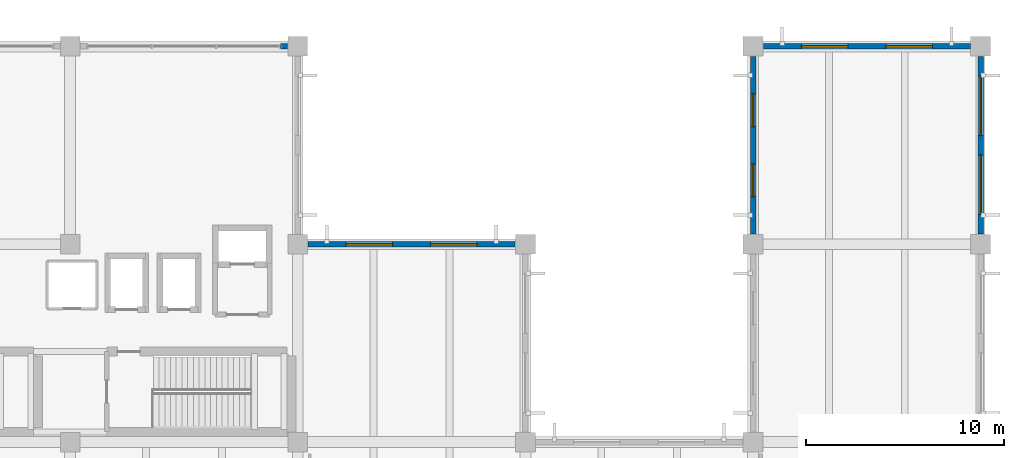
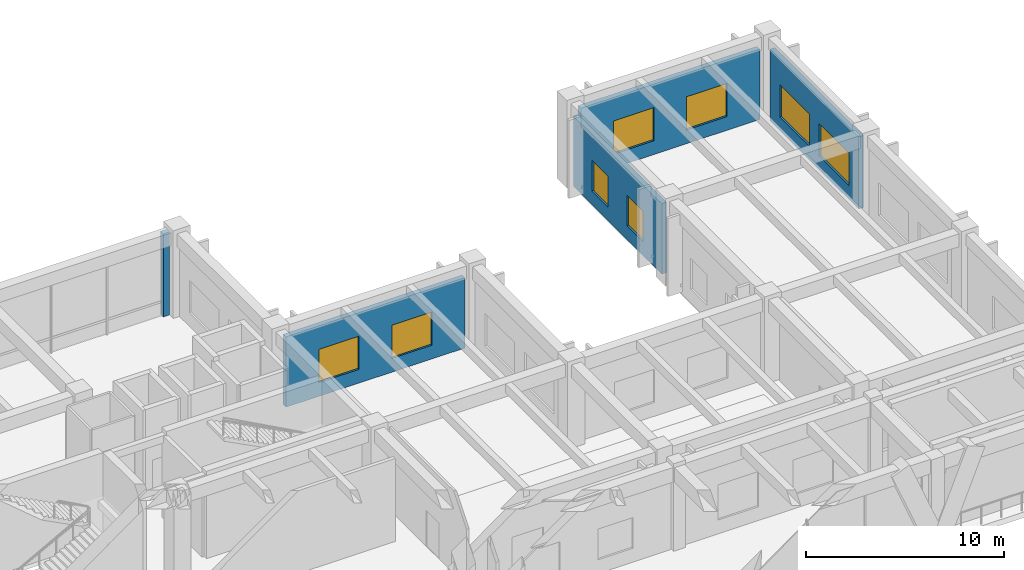
# One storey, part 134 of 148: 8 windows, 5 walls, 8 openings.
"""IFC4 building model written with IfcOpenShell, lengths in metres."""

from ifc_helpers import new_model, si_unit, direction, frame, frame_2d, origin, place, context, subcontext, project, spatial, rectangle, extrude, material, layer, layer_set, type_object, element, fill, save


model = new_model("IFC4")

# Units and contexts
model_context = context("Model", 3, precision=1e-05, world=origin(), true_north=direction((0.0, 1.0)))
body_context = subcontext(model_context, "Body", "Model", "MODEL_VIEW")
ifc_project = project(units=[si_unit("LENGTHUNIT", "METRE"), si_unit("AREAUNIT", "SQUARE_METRE"), si_unit("VOLUMEUNIT", "CUBIC_METRE"), si_unit("PLANEANGLEUNIT", "RADIAN"), si_unit("MASSUNIT", "GRAM", prefix="KILO")], contexts=[model_context])

# Site, building, storey
site_placement = place(None, origin())
site = spatial("IfcSite", under=ifc_project, at=site_placement, CompositionType="ELEMENT")
building_placement = place(site_placement, origin())
building = spatial("IfcBuilding", under=site, at=building_placement, Name="Ologun Quay Terminus", CompositionType="ELEMENT")
storey_placement = place(building_placement, frame((0.0, 0.0, 8.39990234375)))
storey = spatial("IfcBuildingStorey", under=building, at=storey_placement, Name="L02", CompositionType="ELEMENT", Elevation=8.39990234375)

# Wall, openings, windows
ifc_material_1 = material(Name="Concrete C40/50", Category="concrete")
ifc_layer = layer(ifc_material_1, 0.280029296875)
ifc_layer_set = layer_set([ifc_layer], Name="Concrete C40/50")
wall_type = type_object("IfcWallType", Name="Courtyard Wing Spandrel Concrete Wall 280", PredefinedType="SOLIDWALL", material=ifc_layer_set)
wall_1_placement = place(storey_placement, frame((184.0, 105.320068359375, 0.0), z_axis=(0.0, 0.0, 1.0), x_axis=(0.0, 1.0, 0.0)))
wall_1 = element("IfcWall", 1, at=wall_1_placement, inside=storey, type_object=wall_type, Name="EW-02 Facade Wall WEW-EW-L02-9", PredefinedType="SOLIDWALL", context=body_context, shape_type="SweptSolid", body=[
    extrude(rectangle(XDim=8.9599609375, YDim=0.280029296875, at=frame_2d((4.47998046875, 0.0))), origin(), (0.0, 0.0, 1.0), 4.4501953125),
])
opening_1_placement = place(wall_1_placement, frame((0.98681640625, 0.0, 0.85009765625)))
opening_1 = element("IfcOpeningElement", 2, at=opening_1_placement, cuts=wall_1, Name="Opening WN-397", PredefinedType="OPENING", context=body_context, shape_type="SweptSolid", body=[
    extrude(rectangle(XDim=3.0, YDim=2.0, at=frame_2d((1.5, 1.0))), frame((0.0, 0.14990234375, 0.0), z_axis=(0.0, -1.0, 0.0), x_axis=(1.0, 0.0, 0.0)), (0.0, 0.0, 1.0), 0.300048828125),
])
opening_2_placement = place(wall_1_placement, frame((4.973388671875, 0.0, 0.85009765625)))
opening_2 = element("IfcOpeningElement", 3, at=opening_2_placement, cuts=wall_1, Name="Opening WN-398", PredefinedType="OPENING", context=body_context, shape_type="SweptSolid", body=[
    extrude(rectangle(XDim=3.0, YDim=2.0, at=frame_2d((1.5, 1.0))), frame((0.0, 0.14990234375, 0.0), z_axis=(0.0, -1.0, 0.0), x_axis=(1.0, 0.0, 0.0)), (0.0, 0.0, 1.0), 0.300048828125),
])
ifc_material_2 = material(Name="Glass", Category="glass")
window_type_1 = type_object("IfcWindowType", Name="Station Control Observation Window 3000x2000", PartitioningType="SINGLE_PANEL", PredefinedType="WINDOW", material=ifc_material_2)
window_1_placement = place(opening_1_placement, origin())
window_1 = element("IfcWindow", 4, at=window_1_placement, inside=storey, type_object=window_type_1, Name="W-09 Window WN-397", OverallHeight=2.0, OverallWidth=3.0, PartitioningType="SINGLE_PANEL", PredefinedType="WINDOW", context=body_context, shape_type="SweptSolid", body=[
    extrude(rectangle(XDim=3.0, YDim=2.0, at=frame_2d((1.5, 1.0))), frame((0.0, 0.030029296875, 0.0), z_axis=(0.0, -1.0, 0.0), x_axis=(1.0, 0.0, 0.0)), (0.0, 0.0, 1.0), 0.06005859375),
])
fill(opening_1, window_1)
window_2_placement = place(opening_2_placement, origin())
window_2 = element("IfcWindow", 5, at=window_2_placement, inside=storey, type_object=window_type_1, Name="W-09 Window WN-398", OverallHeight=2.0, OverallWidth=3.0, PartitioningType="SINGLE_PANEL", PredefinedType="WINDOW", context=body_context, shape_type="SweptSolid", body=[
    extrude(rectangle(XDim=3.0, YDim=2.0, at=frame_2d((1.5, 1.0))), frame((0.0, 0.030029296875, 0.0), z_axis=(0.0, -1.0, 0.0), x_axis=(1.0, 0.0, 0.0)), (0.0, 0.0, 1.0), 0.06005859375),
])
fill(opening_2, window_2)

wall_2_placement = place(storey_placement, frame((173.02001953125, 114.800048828125, 0.0), z_axis=(0.0, 0.0, 1.0), x_axis=(1.0, 0.0, 0.0)))
wall_2 = element("IfcWall", 6, at=wall_2_placement, inside=storey, type_object=wall_type, Name="EW-02 Facade Wall WEW-EW-L02-10", PredefinedType="SOLIDWALL", context=body_context, shape_type="SweptSolid", body=[
    extrude(rectangle(XDim=10.4599609375, YDim=0.280029296875, at=frame_2d((5.22998046875, 0.0))), origin(), (0.0, 0.0, 1.0), 4.35009765625),
])
opening_3_placement = place(wall_2_placement, frame((1.919921875, 0.0, 0.85009765625)))
opening_3 = element("IfcOpeningElement", 7, at=opening_3_placement, cuts=wall_2, Name="Opening WN-399", PredefinedType="OPENING", context=body_context, shape_type="SweptSolid", body=[
    extrude(rectangle(XDim=2.35009765625, YDim=2.050048828125, at=frame_2d((1.175048828125, 1.02490234375))), frame((0.0, 0.14990234375, 0.0), z_axis=(0.0, -1.0, 0.0), x_axis=(1.0, 0.0, 0.0)), (0.0, 0.0, 1.0), 0.300048828125),
])
opening_4_placement = place(wall_2_placement, frame((6.18994140625, 0.0, 0.85009765625)))
opening_4 = element("IfcOpeningElement", 8, at=opening_4_placement, cuts=wall_2, Name="Opening WN-400", PredefinedType="OPENING", context=body_context, shape_type="SweptSolid", body=[
    extrude(rectangle(XDim=2.35009765625, YDim=2.050048828125, at=frame_2d((1.175048828125, 1.02490234375))), frame((0.0, 0.14990234375, 0.0), z_axis=(0.0, -1.0, 0.0), x_axis=(1.0, 0.0, 0.0)), (0.0, 0.0, 1.0), 0.300048828125),
])
ifc_material_3 = material(Name="Glass", Category="glass")
window_type_2 = type_object("IfcWindowType", Name="Traffic Control Acoustic Window 2350x2050", PartitioningType="SINGLE_PANEL", PredefinedType="WINDOW", material=ifc_material_3)
window_3_placement = place(opening_3_placement, origin())
window_3 = element("IfcWindow", 9, at=window_3_placement, inside=storey, type_object=window_type_2, Name="W-19 Window WN-399", OverallHeight=2.050048828125, OverallWidth=2.35009765625, PartitioningType="SINGLE_PANEL", PredefinedType="WINDOW", context=body_context, shape_type="SweptSolid", body=[
    extrude(rectangle(XDim=2.35009765625, YDim=2.050048828125, at=frame_2d((1.175048828125, 1.02490234375))), frame((0.0, 0.030029296875, 0.0), z_axis=(0.0, -1.0, 0.0), x_axis=(1.0, 0.0, 0.0)), (0.0, 0.0, 1.0), 0.06005859375),
])
fill(opening_3, window_3)
window_4_placement = place(opening_4_placement, origin())
window_4 = element("IfcWindow", 10, at=window_4_placement, inside=storey, type_object=window_type_2, Name="W-19 Window WN-400", OverallHeight=2.050048828125, OverallWidth=2.35009765625, PartitioningType="SINGLE_PANEL", PredefinedType="WINDOW", context=body_context, shape_type="SweptSolid", body=[
    extrude(rectangle(XDim=2.35009765625, YDim=2.050048828125, at=frame_2d((1.175048828125, 1.02490234375))), frame((0.0, 0.030029296875, 0.0), z_axis=(0.0, -1.0, 0.0), x_axis=(1.0, 0.0, 0.0)), (0.0, 0.0, 1.0), 0.06005859375),
])
fill(opening_4, window_4)

wall_3_placement = place(storey_placement, frame((172.5, 105.320068359375, 0.0), z_axis=(0.0, 0.0, 1.0), x_axis=(0.0, 1.0, 0.0)))
wall_3 = element("IfcWall", 11, at=wall_3_placement, inside=storey, type_object=wall_type, Name="EW-02 Facade Wall WEW-EW-L02-12", PredefinedType="SOLIDWALL", context=body_context, shape_type="SweptSolid", body=[
    extrude(rectangle(XDim=8.9599609375, YDim=0.280029296875, at=frame_2d((4.47998046875, 0.0))), origin(), (0.0, 0.0, 1.0), 4.35009765625),
])
opening_5_placement = place(wall_3_placement, frame((1.88671875, 0.0, 0.85009765625)))
opening_5 = element("IfcOpeningElement", 12, at=opening_5_placement, cuts=wall_3, Name="Opening WN-403", PredefinedType="OPENING", context=body_context, shape_type="SweptSolid", body=[
    extrude(rectangle(XDim=1.64990234375, YDim=1.89990234375, at=frame_2d((0.824951171875, 0.949951171875))), frame((0.0, 0.14990234375, 0.0), z_axis=(0.0, -1.0, 0.0), x_axis=(1.0, 0.0, 0.0)), (0.0, 0.0, 1.0), 0.300048828125),
])
opening_6_placement = place(wall_3_placement, frame((5.42333984375, 0.0, 0.85009765625)))
opening_6 = element("IfcOpeningElement", 13, at=opening_6_placement, cuts=wall_3, Name="Opening WN-404", PredefinedType="OPENING", context=body_context, shape_type="SweptSolid", body=[
    extrude(rectangle(XDim=1.64990234375, YDim=1.89990234375, at=frame_2d((0.824951171875, 0.949951171875))), frame((0.0, 0.14990234375, 0.0), z_axis=(0.0, -1.0, 0.0), x_axis=(1.0, 0.0, 0.0)), (0.0, 0.0, 1.0), 0.300048828125),
])
ifc_material_4 = material(Name="Glass", Category="glass")
window_type_3 = type_object("IfcWindowType", Name="Operations Admin Solar Window 1650x1900", PartitioningType="SINGLE_PANEL", PredefinedType="WINDOW", material=ifc_material_4)
window_5_placement = place(opening_5_placement, origin())
window_5 = element("IfcWindow", 14, at=window_5_placement, inside=storey, type_object=window_type_3, Name="W-21 Window WN-403", OverallHeight=1.89990234375, OverallWidth=1.64990234375, PartitioningType="SINGLE_PANEL", PredefinedType="WINDOW", context=body_context, shape_type="SweptSolid", body=[
    extrude(rectangle(XDim=1.64990234375, YDim=1.89990234375, at=frame_2d((0.824951171875, 0.949951171875))), frame((0.0, 0.030029296875, 0.0), z_axis=(0.0, -1.0, 0.0), x_axis=(1.0, 0.0, 0.0)), (0.0, 0.0, 1.0), 0.06005859375),
])
fill(opening_5, window_5)
window_6_placement = place(opening_6_placement, origin())
window_6 = element("IfcWindow", 15, at=window_6_placement, inside=storey, type_object=window_type_3, Name="W-21 Window WN-404", OverallHeight=1.89990234375, OverallWidth=1.64990234375, PartitioningType="SINGLE_PANEL", PredefinedType="WINDOW", context=body_context, shape_type="SweptSolid", body=[
    extrude(rectangle(XDim=1.64990234375, YDim=1.89990234375, at=frame_2d((0.824951171875, 0.949951171875))), frame((0.0, 0.030029296875, 0.0), z_axis=(0.0, -1.0, 0.0), x_axis=(1.0, 0.0, 0.0)), (0.0, 0.0, 1.0), 0.06005859375),
])
fill(opening_6, window_6)

wall_4_placement = place(storey_placement, frame((150.02001953125, 104.800048828125, 0.0), z_axis=(0.0, 0.0, 1.0), x_axis=(1.0, 0.0, 0.0)))
wall_4 = element("IfcWall", 16, at=wall_4_placement, inside=storey, type_object=wall_type, Name="EW-02 Facade Wall WEW-EW-L02-15", PredefinedType="SOLIDWALL", context=body_context, shape_type="SweptSolid", body=[
    extrude(rectangle(XDim=10.4599609375, YDim=0.280029296875, at=frame_2d((5.22998046875, 0.0))), origin(), (0.0, 0.0, 1.0), 4.35009765625),
])
opening_7_placement = place(wall_4_placement, frame((1.919921875, 0.0, 0.85009765625)))
opening_7 = element("IfcOpeningElement", 17, at=opening_7_placement, cuts=wall_4, Name="Opening WN-409", PredefinedType="OPENING", context=body_context, shape_type="SweptSolid", body=[
    extrude(rectangle(XDim=2.35009765625, YDim=2.050048828125, at=frame_2d((1.175048828125, 1.02490234375))), frame((0.0, 0.14990234375, 0.0), z_axis=(0.0, -1.0, 0.0), x_axis=(1.0, 0.0, 0.0)), (0.0, 0.0, 1.0), 0.300048828125),
])
opening_8_placement = place(wall_4_placement, frame((6.18994140625, 0.0, 0.85009765625)))
opening_8 = element("IfcOpeningElement", 18, at=opening_8_placement, cuts=wall_4, Name="Opening WN-410", PredefinedType="OPENING", context=body_context, shape_type="SweptSolid", body=[
    extrude(rectangle(XDim=2.35009765625, YDim=2.050048828125, at=frame_2d((1.175048828125, 1.02490234375))), frame((0.0, 0.14990234375, 0.0), z_axis=(0.0, -1.0, 0.0), x_axis=(1.0, 0.0, 0.0)), (0.0, 0.0, 1.0), 0.300048828125),
])
window_7_placement = place(opening_7_placement, origin())
window_7 = element("IfcWindow", 19, at=window_7_placement, inside=storey, type_object=window_type_2, Name="W-19 Window WN-409", OverallHeight=2.050048828125, OverallWidth=2.35009765625, PartitioningType="SINGLE_PANEL", PredefinedType="WINDOW", context=body_context, shape_type="SweptSolid", body=[
    extrude(rectangle(XDim=2.35009765625, YDim=2.050048828125, at=frame_2d((1.175048828125, 1.02490234375))), frame((0.0, 0.030029296875, 0.0), z_axis=(0.0, -1.0, 0.0), x_axis=(1.0, 0.0, 0.0)), (0.0, 0.0, 1.0), 0.06005859375),
])
fill(opening_7, window_7)
window_8_placement = place(opening_8_placement, origin())
window_8 = element("IfcWindow", 20, at=window_8_placement, inside=storey, type_object=window_type_2, Name="W-19 Window WN-410", OverallHeight=2.050048828125, OverallWidth=2.35009765625, PartitioningType="SINGLE_PANEL", PredefinedType="WINDOW", context=body_context, shape_type="SweptSolid", body=[
    extrude(rectangle(XDim=2.35009765625, YDim=2.050048828125, at=frame_2d((1.175048828125, 1.02490234375))), frame((0.0, 0.030029296875, 0.0), z_axis=(0.0, -1.0, 0.0), x_axis=(1.0, 0.0, 0.0)), (0.0, 0.0, 1.0), 0.06005859375),
])
fill(opening_8, window_8)

# Wall
wall_5_placement = place(storey_placement, frame((148.6298828125, 114.800048828125, 0.0), z_axis=(0.0, 0.0, 1.0), x_axis=(1.0, 0.0, 0.0)))
element("IfcWall", 21, at=wall_5_placement, inside=storey, type_object=wall_type, Name="Curtain Wall Jamb Pier CW-L02-134-J2", PredefinedType="SOLIDWALL", context=body_context, shape_type="SweptSolid", body=[
    extrude(rectangle(XDim=0.35009765625, YDim=0.280029296875, at=frame_2d((0.175048828125, 0.0))), origin(), (0.0, 0.0, 1.0), 5.130126953125),
])

save(model, "model.ifc")
